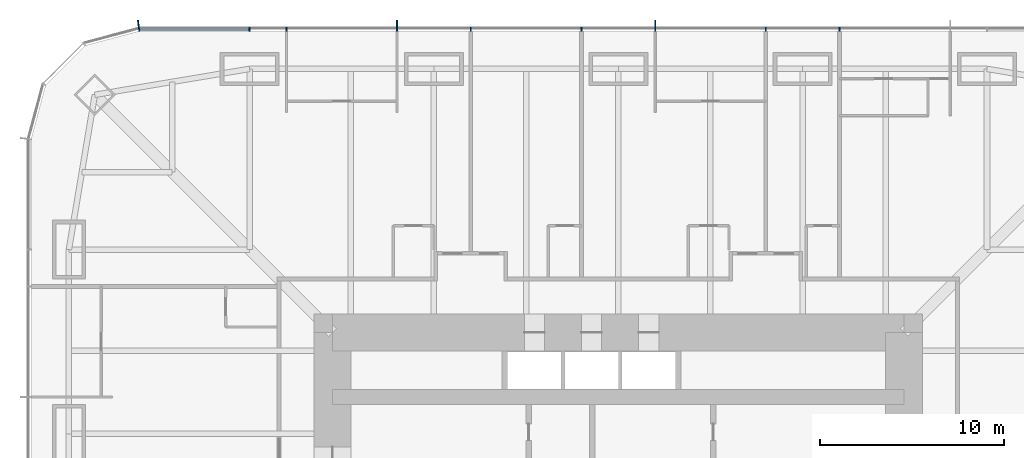
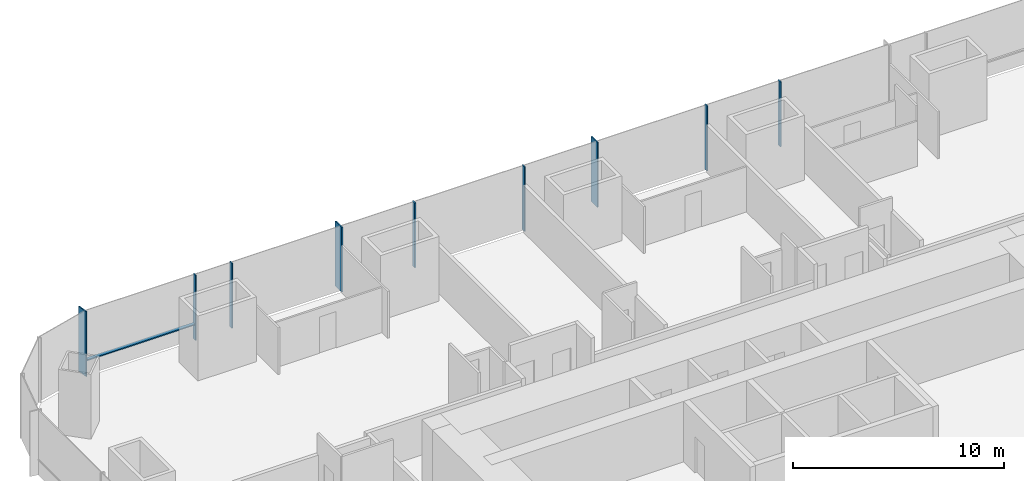
# One storey, part 11 of 20: 10 members, 2 elements without a shape of their own.
"""IFC4 building model written with IfcOpenShell, lengths in metres."""

from ifc_helpers import new_model, si_unit, direction, frame, origin, origin_2d, place, context, subcontext, project, spatial, rectangle, extrude, material, material_profile, profile_set, type_object, element, aggregate, save


model = new_model("IFC4")

# Units and contexts
model_context = context("Model", 3, precision=1e-05, world=origin(), true_north=direction((0.0, 1.0)))
body_context = subcontext(model_context, "Body", "Model", "MODEL_VIEW")
ifc_project = project(units=[si_unit("LENGTHUNIT", "METRE"), si_unit("AREAUNIT", "SQUARE_METRE"), si_unit("VOLUMEUNIT", "CUBIC_METRE"), si_unit("PLANEANGLEUNIT", "RADIAN"), si_unit("MASSUNIT", "GRAM", prefix="KILO")], contexts=[model_context])

# Site, building, storey
site_placement = place(None, origin())
site = spatial("IfcSite", under=ifc_project, at=site_placement, CompositionType="ELEMENT")
building_placement = place(site_placement, origin())
building = spatial("IfcBuilding", under=site, at=building_placement, Name="Khuree Lantern Residences", CompositionType="ELEMENT")
storey_placement = place(building_placement, frame((0.0, 0.0, 24.75)))
storey = spatial("IfcBuildingStorey", under=building, at=storey_placement, Name="L05", CompositionType="ELEMENT", Elevation=24.75)

# Curtain wall, members
ifc_material = material(Name="Bronze anodised aluminium", Category="aluminium")
curtain_wall_type_1 = type_object("IfcCurtainWallType", Name="CW-T1 TOWER FACE CURTAIN WALL", PredefinedType="USERDEFINED", material=ifc_material)
curtain_wall_1_placement = place(storey_placement, origin())
curtain_wall_1 = element("IfcCurtainWall", 1, at=curtain_wall_1_placement, inside=storey, type_object=curtain_wall_type_1, Name="L05 NORTH FACE CURTAIN WALL", ObjectType="Stick-built curtain wall", PredefinedType="USERDEFINED")
ifc_material_profile_1 = material_profile(ifc_material, rectangle(XDim=0.06494140625, YDim=0.60009765625, at=origin_2d()), Name="F1 65X600")
ifc_profile_set_1 = profile_set([ifc_material_profile_1], Name="Bronze anodised aluminium")
member_type_1 = type_object("IfcMemberType", Name="F1 BRONZE FIN MULLION TOWER 65X600", PredefinedType="MULLION", material=ifc_profile_set_1)
member_1_placement = place(storey_placement, frame((2.0, 32.14990234375, 0.0), z_axis=(0.0, 0.0, 1.0), x_axis=(-1.0, 0.0, 0.0)))
member_1 = element("IfcMember", 2, at=member_1_placement, type_object=member_type_1, Name="L05 NORTH FACE FIN MULLION 23", PredefinedType="MULLION", context=body_context, shape_type="SweptSolid", body=[
    extrude(rectangle(XDim=0.06494140625, YDim=0.60009765625, at=origin_2d()), origin(), (0.0, 0.0, 1.0), 3.75),
])
member_2_placement = place(storey_placement, frame((-12.0, 32.14990234375, 0.0), z_axis=(0.0, 0.0, 1.0), x_axis=(-1.0, 0.0, 0.0)))
member_2 = element("IfcMember", 3, at=member_2_placement, type_object=member_type_1, Name="L05 NORTH FACE FIN MULLION 26", PredefinedType="MULLION", context=body_context, shape_type="SweptSolid", body=[
    extrude(rectangle(XDim=0.06494140625, YDim=0.60009765625, at=origin_2d()), origin(), (0.0, 0.0, 1.0), 3.75),
])

# Curtain wall, member
curtain_wall_type_2 = type_object("IfcCurtainWallType", Name="CW-T2 TOWER CORNER CURTAIN WALL", PredefinedType="USERDEFINED", material=ifc_material)
curtain_wall_2_placement = place(storey_placement, origin())
curtain_wall_2 = element("IfcCurtainWall", 4, at=curtain_wall_2_placement, inside=storey, type_object=curtain_wall_type_2, Name="L05 NORTH-WEST CORNER CURTAIN WALL", ObjectType="Faceted corner curtain wall", PredefinedType="USERDEFINED")
member_3_placement = place(storey_placement, frame((-26.019775390625, 32.150146484375, 0.0), z_axis=(0.0, 0.0, 1.0), x_axis=(-0.991444852794, -0.130526257387, 0.0)))
member_3 = element("IfcMember", 5, at=member_3_placement, type_object=member_type_1, Name="L05 NORTH-WEST CORNER FIN MULLION 29", PredefinedType="MULLION", context=body_context, shape_type="SweptSolid", body=[
    extrude(rectangle(XDim=0.06494140625, YDim=0.60009765625, at=origin_2d()), origin(), (0.0, 0.0, 1.0), 3.75),
])
aggregate(curtain_wall_2, [member_3])

# Member
ifc_material_profile_2 = material_profile(ifc_material, rectangle(XDim=0.06494140625, YDim=0.219970703125, at=origin_2d()), Name="M1 65X220")
ifc_profile_set_2 = profile_set([ifc_material_profile_2], Name="Bronze anodised aluminium")
member_type_2 = type_object("IfcMemberType", Name="M1 BRONZE MULLION TOWER 65X220", PredefinedType="MULLION", material=ifc_profile_set_2)
member_4_placement = place(storey_placement, frame((12.0, 31.9599609375, 0.0), z_axis=(0.0, 0.0, 1.0), x_axis=(-1.0, 0.0, 0.0)))
member_4 = element("IfcMember", 6, at=member_4_placement, type_object=member_type_2, Name="L05 NORTH FACE MULLION 21", PredefinedType="MULLION", context=body_context, shape_type="SweptSolid", body=[
    extrude(rectangle(XDim=0.06494140625, YDim=0.219970703125, at=origin_2d()), origin(), (0.0, 0.0, 1.0), 3.75),
])

member_5_placement = place(storey_placement, frame((8.0, 31.9599609375, 0.0), z_axis=(0.0, 0.0, 1.0), x_axis=(-1.0, 0.0, 0.0)))
member_5 = element("IfcMember", 7, at=member_5_placement, type_object=member_type_2, Name="L05 NORTH FACE MULLION 22", PredefinedType="MULLION", context=body_context, shape_type="SweptSolid", body=[
    extrude(rectangle(XDim=0.06494140625, YDim=0.219970703125, at=origin_2d()), origin(), (0.0, 0.0, 1.0), 3.75),
])

member_6_placement = place(storey_placement, frame((-2.0, 31.9599609375, 0.0), z_axis=(0.0, 0.0, 1.0), x_axis=(-1.0, 0.0, 0.0)))
member_6 = element("IfcMember", 8, at=member_6_placement, type_object=member_type_2, Name="L05 NORTH FACE MULLION 24", PredefinedType="MULLION", context=body_context, shape_type="SweptSolid", body=[
    extrude(rectangle(XDim=0.06494140625, YDim=0.219970703125, at=origin_2d()), origin(), (0.0, 0.0, 1.0), 3.75),
])

member_7_placement = place(storey_placement, frame((-8.0, 31.9599609375, 0.0), z_axis=(0.0, 0.0, 1.0), x_axis=(-1.0, 0.0, 0.0)))
member_7 = element("IfcMember", 9, at=member_7_placement, type_object=member_type_2, Name="L05 NORTH FACE MULLION 25", PredefinedType="MULLION", context=body_context, shape_type="SweptSolid", body=[
    extrude(rectangle(XDim=0.06494140625, YDim=0.219970703125, at=origin_2d()), origin(), (0.0, 0.0, 1.0), 3.75),
])

member_8_placement = place(storey_placement, frame((-18.0, 31.9599609375, 0.0), z_axis=(0.0, 0.0, 1.0), x_axis=(-1.0, 0.0, 0.0)))
member_8 = element("IfcMember", 10, at=member_8_placement, type_object=member_type_2, Name="L05 NORTH FACE MULLION 27", PredefinedType="MULLION", context=body_context, shape_type="SweptSolid", body=[
    extrude(rectangle(XDim=0.06494140625, YDim=0.219970703125, at=origin_2d()), origin(), (0.0, 0.0, 1.0), 3.75),
])

member_9_placement = place(storey_placement, frame((-20.0, 31.9599609375, 0.0), z_axis=(0.0, 0.0, 1.0), x_axis=(-1.0, 0.0, 0.0)))
member_9 = element("IfcMember", 11, at=member_9_placement, type_object=member_type_2, Name="L05 NORTH FACE MULLION 28", PredefinedType="MULLION", context=body_context, shape_type="SweptSolid", body=[
    extrude(rectangle(XDim=0.06494140625, YDim=0.219970703125, at=origin_2d()), origin(), (0.0, 0.0, 1.0), 3.75),
])

ifc_material_profile_3 = material_profile(ifc_material, rectangle(XDim=0.179931640625, YDim=0.06494140625, at=origin_2d()), Name="T1 180X65")
ifc_profile_set_3 = profile_set([ifc_material_profile_3], Name="Bronze anodised aluminium")
member_type_3 = type_object("IfcMemberType", Name="TRANSOM T1 TOWER 180X65", PredefinedType="USERDEFINED", material=ifc_profile_set_3)
member_10_placement = place(storey_placement, frame((-20.032470703125, 31.969970703125, 0.89990234375), z_axis=(-1.0, 0.0, 0.0), x_axis=(0.0, -1.0, 0.0)))
member_10 = element("IfcMember", 12, at=member_10_placement, type_object=member_type_3, Name="L05 NORTH FACE TRANSOM 28.1", ObjectType="Transom", PredefinedType="USERDEFINED", context=body_context, shape_type="SweptSolid", body=[
    extrude(rectangle(XDim=0.179931640625, YDim=0.06494140625, at=origin_2d()), origin(), (0.0, 0.0, 1.0), 5.9189453125),
])

aggregate(curtain_wall_1, [member_4, member_5, member_1, member_6, member_7, member_2, member_8, member_9, member_10])

save(model, "model.ifc")
